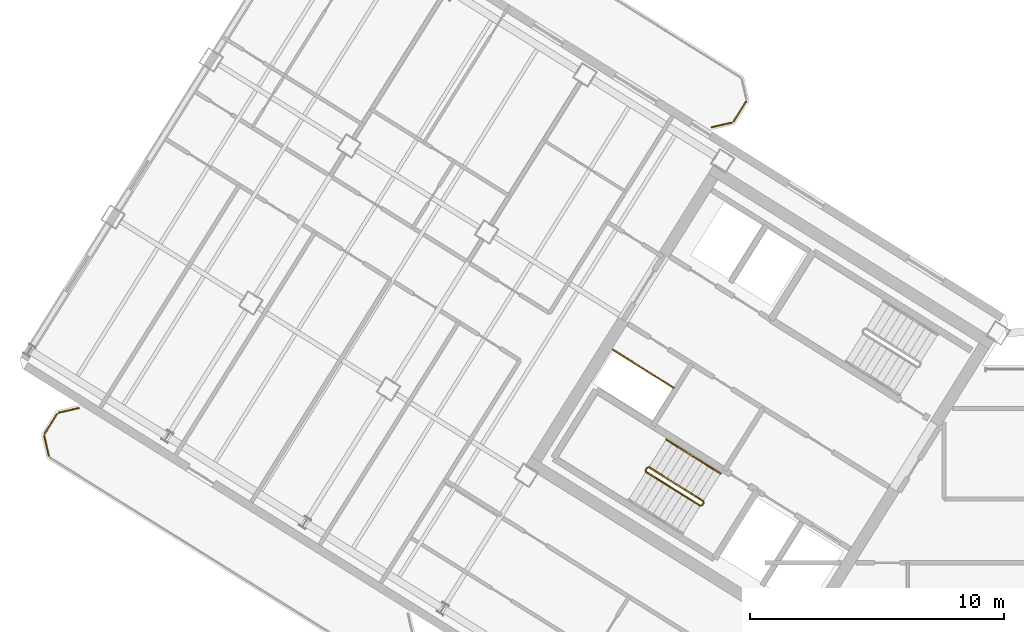
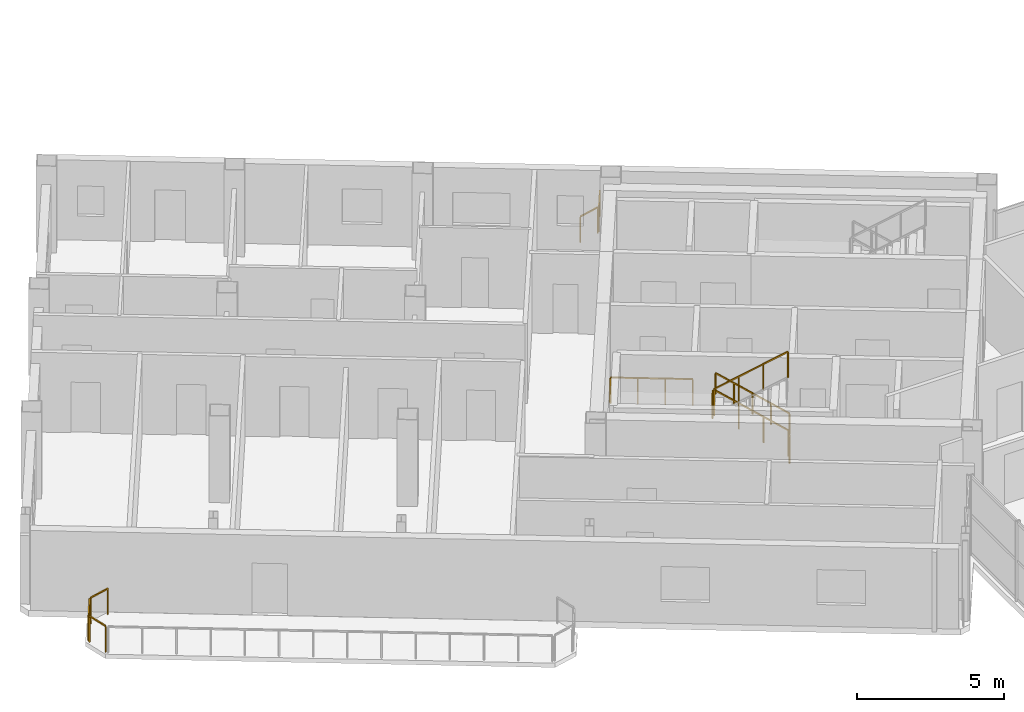
# One storey, part 23 of 25: 12 railings.
"""IFC4 building model written with IfcOpenShell, lengths in metres."""

import ifcopenshell
import ifcopenshell.guid

model = None  # the IFC model being written
_history = None  # IfcOwnerHistory: only IFC2X3 demands one
_inside = {}  # id of a spatial element -> (the spatial element, [elements in it])
_under = {}  # id of a project, library or spatial element -> (it, [spatial elements below it])
_declared = {}  # id of a project -> (the project, [libraries it declares])
_typed = {}  # id of a type object -> (the type object, [elements of that type])
_made_of = {}  # id of a material, layer set ... -> (it, [elements and type objects made of it])


def new_model(schema):
    """Start an empty IFC model of exactly this schema.

    Asked for "IFC4X3", IfcOpenShell would pick the latest addendum, in which some entities
    have other attributes; the version numbers below select the first issue.
    IFC2X3 requires an IfcOwnerHistory on every rooted entity: one is made here for all.
    """
    global model, _history
    if schema == "IFC4X3":
        model = ifcopenshell.file(schema_version=(4, 3, 0, 0))
    else:
        model = ifcopenshell.file(schema=schema)
    _inside.clear()
    _under.clear()
    _declared.clear()
    _typed.clear()
    _made_of.clear()
    _history = None
    if model.schema == "IFC2X3":
        org = make("IfcOrganization", Name="unknown")
        user = make(
            "IfcPersonAndOrganization",
            ThePerson=make("IfcPerson", FamilyName="unknown"),
            TheOrganization=org,
        )
        app = make(
            "IfcApplication",
            ApplicationDeveloper=org,
            Version="unknown",
            ApplicationFullName="unknown",
            ApplicationIdentifier="unknown",
        )
        _history = make(
            "IfcOwnerHistory",
            OwningUser=user,
            OwningApplication=app,
            ChangeAction="ADDED",
            CreationDate=0,
        )
    return model


def make(cls, **values):
    """One entity of the class cls with the attributes given. An attribute that is None is left unset."""
    return model.create_entity(
        cls, **{name: value for name, value in values.items() if value is not None}
    )


def rooted(cls, **values):
    """An entity with a GlobalId (a new one), such as an element, a storey or a relation."""
    return make(cls, GlobalId=ifcopenshell.guid.new(), OwnerHistory=_history, **values)


def si_unit(unit_type, name, prefix=None):
    """IfcSIUnit, for example si_unit("LENGTHUNIT", "METRE", prefix="MILLI")."""
    return make("IfcSIUnit", UnitType=unit_type, Prefix=prefix, Name=name)


def assignment(units):
    """IfcUnitAssignment: the units of a project."""
    return None if units is None else make("IfcUnitAssignment", Units=units)


def point(xyz):
    """IfcCartesianPoint."""
    return None if xyz is None else make("IfcCartesianPoint", Coordinates=xyz)


def direction(xyz):
    """IfcDirection."""
    return None if xyz is None else make("IfcDirection", DirectionRatios=xyz)


def frame(location, z_axis=None, x_axis=None):
    """IfcAxis2Placement3D, a coordinate frame: its origin and axes. An axis left out is left unset."""
    return make(
        "IfcAxis2Placement3D",
        Location=point(location),
        Axis=direction(z_axis),
        RefDirection=direction(x_axis),
    )


def frame_2d(location, x_axis=None):
    """IfcAxis2Placement2D, a coordinate frame in the plane: its origin and x axis."""
    return make(
        "IfcAxis2Placement2D", Location=point(location), RefDirection=direction(x_axis)
    )


def origin():
    """The frame at (0, 0, 0) with its axes left unset."""
    return frame((0.0, 0.0, 0.0))


def origin_2d():
    """The frame at (0, 0) in the plane with its x axis left unset."""
    return frame_2d((0.0, 0.0))


def place(relative_to, where):
    """IfcLocalPlacement: puts the frame where relative to a parent placement (None: the world)."""
    return make(
        "IfcLocalPlacement", PlacementRelTo=relative_to, RelativePlacement=where
    )


def context(
    kind, dimensions, precision=None, world=None, true_north=None, identifier=None
):
    """IfcGeometricRepresentationContext, for example the 3D "Model" context."""
    return make(
        "IfcGeometricRepresentationContext",
        ContextIdentifier=identifier,
        ContextType=kind,
        CoordinateSpaceDimension=dimensions,
        Precision=precision,
        WorldCoordinateSystem=world,
        TrueNorth=true_north,
    )


def subcontext(parent, identifier, kind, view, scale=None):
    """IfcGeometricRepresentationSubContext, for example "Body" below "Model"."""
    return make(
        "IfcGeometricRepresentationSubContext",
        ContextIdentifier=identifier,
        ContextType=kind,
        ParentContext=parent,
        TargetScale=scale,
        TargetView=view,
    )


def project(units=None, contexts=None):
    """IfcProject with its units and contexts."""
    return rooted(
        "IfcProject",
        Name="project",
        RepresentationContexts=contexts,
        UnitsInContext=assignment(units),
    )


def spatial(cls, under=None, at=None, **own):
    """A site, building, storey or space (cls), placed at a placement, below another one or the project."""
    s = rooted(cls, ObjectPlacement=at, **own)
    if under is not None:
        _under.setdefault(under.id(), (under, []))[1].append(s)
    return s


def profile(cls, at=None, kind="AREA", **sizes):
    """A parametric profile (cls). Its sizes go by their IFC names, for example OverallWidth=200.0."""
    return make(cls, ProfileType=kind, Position=at, **sizes)


def rectangle(**sizes):
    """IfcRectangleProfileDef."""
    return profile("IfcRectangleProfileDef", **sizes)


def extrude(swept, where, along, depth):
    """IfcExtrudedAreaSolid: the profile swept, set in the frame where, extruded along a direction by depth."""
    return make(
        "IfcExtrudedAreaSolid",
        SweptArea=swept,
        Position=where,
        ExtrudedDirection=direction(along),
        Depth=depth,
    )


def shape(context_of_items, identifier, shape_type, items):
    """IfcShapeRepresentation: the items that make up one representation, for example the "Body"."""
    return make(
        "IfcShapeRepresentation",
        ContextOfItems=context_of_items,
        RepresentationIdentifier=identifier,
        RepresentationType=shape_type,
        Items=items,
    )


def source(mapping_origin, context_of_items, identifier, shape_type, items):
    """IfcRepresentationMap: a shape defined once, which mapped items show again and again."""
    return make(
        "IfcRepresentationMap",
        MappingOrigin=mapping_origin,
        MappedRepresentation=shape(context_of_items, identifier, shape_type, items),
    )


def transform(
    local_origin,
    x_axis=None,
    y_axis=None,
    z_axis=None,
    scale=None,
    scale2=None,
    scale3=None,
    uniform=True,
):
    """IfcCartesianTransformationOperator3D, or its non-uniform kind. x_axis, y_axis, z_axis: its Axis1, 2, 3."""
    if uniform:
        return make(
            "IfcCartesianTransformationOperator3D",
            Axis1=direction(x_axis),
            Axis2=direction(y_axis),
            LocalOrigin=point(local_origin),
            Scale=scale,
            Axis3=direction(z_axis),
        )
    return make(
        "IfcCartesianTransformationOperator3DnonUniform",
        Axis1=direction(x_axis),
        Axis2=direction(y_axis),
        LocalOrigin=point(local_origin),
        Scale=scale,
        Axis3=direction(z_axis),
        Scale2=scale2,
        Scale3=scale3,
    )


def mapped(mapping_source, mapping_target):
    """IfcMappedItem: shows the shape of a source again, moved by a transform."""
    return make(
        "IfcMappedItem", MappingSource=mapping_source, MappingTarget=mapping_target
    )


def material(Name=None, Category=None):
    """IfcMaterial."""
    return make("IfcMaterial", Name=Name, Category=Category)


def made_of(thing, what):
    """Note that an element or type object is made of a material, layer set ...; save() writes the relation."""
    if what is not None:
        _made_of.setdefault(what.id(), (what, []))[1].append(thing)
    return thing


def type_object(cls, material=None, **own):
    """A type object (cls), such as IfcWallType, which elements share."""
    return made_of(rooted(cls, **own), material)


def element(
    cls,
    number,
    at=None,
    inside=None,
    cuts=None,
    type_object=None,
    material=None,
    context=None,
    identifier="Body",
    shape_type=None,
    held_by="IfcProductDefinitionShape",
    body=None,
    shapes=None,
    **own,
):
    """One element of the class cls, such as IfcWall. Its Tag is "e" and its number.

    at: its placement. inside: the storey or other place that contains it. cuts: it is an
    opening in that element (IfcRelVoidsElement). A single representation is given by context,
    identifier, shape_type and body (its items); several are given by shapes. held_by: the class
    of the entity that holds the representations. save() writes the other relations.
    """
    e = rooted(cls, Tag="e%d" % number, ObjectPlacement=at, **own)
    if body is not None:
        shapes = [shape(context, identifier, shape_type, body)]
    if shapes is not None:
        e.Representation = make(held_by, Representations=shapes)
    if inside is not None:
        _inside.setdefault(inside.id(), (inside, []))[1].append(e)
    if cuts is not None:
        rooted(
            "IfcRelVoidsElement", RelatingBuildingElement=cuts, RelatedOpeningElement=e
        )
    if type_object is not None:
        _typed.setdefault(type_object.id(), (type_object, []))[1].append(e)
    return made_of(e, material)


def aggregate(whole, parts):
    """IfcRelAggregates: a whole, such as a stair, and the parts it consists of."""
    return rooted("IfcRelAggregates", RelatingObject=whole, RelatedObjects=parts)


def save(model, path):
    """Write the relations noted so far, then the file.

    IfcRelAggregates (storeys below a building ...), IfcRelContainedInSpatialStructure (elements
    in a storey), IfcRelDefinesByType, IfcRelAssociatesMaterial and IfcRelDeclares: one each for
    every whole, place, type object, material and project.
    """
    for whole, parts in _under.values():
        aggregate(whole, parts)
    for where, things in _inside.values():
        rooted(
            "IfcRelContainedInSpatialStructure",
            RelatedElements=things,
            RelatingStructure=where,
        )
    for kind, things in _typed.values():
        rooted("IfcRelDefinesByType", RelatedObjects=things, RelatingType=kind)
    for what, things in _made_of.values():
        rooted("IfcRelAssociatesMaterial", RelatedObjects=things, RelatingMaterial=what)
    for by, libraries in _declared.values():
        rooted("IfcRelDeclares", RelatingContext=by, RelatedDefinitions=libraries)
    model.write(path)


model = new_model("IFC4")

# Units and contexts
model_context = context("Model", 3, precision=1e-05, world=origin(), true_north=direction((0.0, 1.0)))
body_context = subcontext(model_context, "Body", "Model", "MODEL_VIEW")
ifc_project = project(units=[si_unit("LENGTHUNIT", "METRE"), si_unit("AREAUNIT", "SQUARE_METRE"), si_unit("VOLUMEUNIT", "CUBIC_METRE"), si_unit("PLANEANGLEUNIT", "RADIAN"), si_unit("MASSUNIT", "GRAM", prefix="KILO")], contexts=[model_context])

# Site, building, storey
site_placement = place(None, origin())
site = spatial("IfcSite", under=ifc_project, at=site_placement, CompositionType="ELEMENT")
building_placement = place(site_placement, origin())
building = spatial("IfcBuilding", under=site, at=building_placement, Name="Tlacorven Tower", CompositionType="ELEMENT")
storey_placement = place(building_placement, frame((0.0, 0.0, 251.10009765625)))
storey = spatial("IfcBuildingStorey", under=building, at=storey_placement, Name="L63", CompositionType="ELEMENT", Elevation=251.10009765625)

# Railings
ifc_material = material(Name="Aluminium and painted steel balustrade", Category="steel")
railing_type_1 = type_object("IfcRailingType", Name="RL-GRD-1100", PredefinedType="GUARDRAIL", material=ifc_material)
shared_shape_1 = source(origin(), body_context, "Body", "SweptSolid", [
    extrude(rectangle(XDim=0.048095703125, YDim=0.048095703125, at=origin_2d()), frame((0.0, 0.0, 1.076171875), z_axis=(-0.848091358275, 0.529850024081, 0.0), x_axis=(-0.529850024081, -0.848091358275, 0.0)), (0.0, 0.0, 1.0), 2.800048828125),
    extrude(rectangle(XDim=0.0419921875, YDim=0.0419921875, at=origin_2d()), origin(), (0.0, 0.0, 1.0), 1.052001953125),
    extrude(rectangle(XDim=0.0419921875, YDim=0.0419921875, at=origin_2d()), frame((-0.79150390625, 0.49462890625, 0.0)), (0.0, 0.0, 1.0), 1.052001953125),
    extrude(rectangle(XDim=0.0419921875, YDim=0.0419921875, at=origin_2d()), frame((-1.583251953125, 0.989013671875, 0.0)), (0.0, 0.0, 1.0), 1.052001953125),
    extrude(rectangle(XDim=0.0419921875, YDim=0.0419921875, at=origin_2d()), frame((-2.374755859375, 1.483642578125, 0.0)), (0.0, 0.0, 1.0), 1.052001953125),
])
railing_1_placement = place(storey_placement, frame((27.9912109375, 22.32080078125, 0.0)))
element("IfcRailing", 1, at=railing_1_placement, inside=storey, type_object=railing_type_1, Name="L63 Electrical Riser W Shaft Guard 1", PredefinedType="GUARDRAIL", context=body_context, shape_type="MappedRepresentation", body=[
    mapped(shared_shape_1, transform((0.0, 0.0, 0.0), scale=1.0)),
])
railing_type_2 = type_object("IfcRailingType", Name="RL-BAL-1100", PredefinedType="BALUSTRADE", material=ifc_material)
shared_shape_2 = source(origin(), body_context, "Body", "SweptSolid", [
    extrude(rectangle(XDim=0.048095703125, YDim=0.048095703125, at=origin_2d()), frame((0.0, 0.0, 1.076171875), z_axis=(-0.52987865805, -0.848073468364, 0.0), x_axis=(0.848073468364, -0.52987865805, 0.0)), (0.0, 0.0, 1.0), 0.912353515625),
    extrude(rectangle(XDim=0.0419921875, YDim=0.0419921875, at=origin_2d()), origin(), (0.0, 0.0, 1.0), 1.052001953125),
    extrude(rectangle(XDim=0.0419921875, YDim=0.0419921875, at=origin_2d()), frame((-0.4833984375, -0.773681640625, 0.0)), (0.0, 0.0, 1.0), 1.052001953125),
])
railing_2_placement = place(storey_placement, frame((30.845947265625, 33.588623046875, 0.0)))
element("IfcRailing", 2, at=railing_2_placement, inside=storey, type_object=railing_type_2, Name="BAL-L63-W-IN Guard Railing 2", PredefinedType="BALUSTRADE", context=body_context, shape_type="MappedRepresentation", body=[
    mapped(shared_shape_2, transform((0.0, 0.0, 0.0), scale=1.0)),
])
shared_shape_3 = source(origin(), body_context, "Body", "SweptSolid", [
    extrude(rectangle(XDim=0.048095703125, YDim=0.048095703125, at=origin_2d()), frame((0.0, 0.0, 1.076171875), z_axis=(-0.225058334816, 0.974345290916, 0.0), x_axis=(-0.974345290916, -0.225058334816, 0.0)), (0.0, 0.0, 1.0), 0.80712890625),
    extrude(rectangle(XDim=0.0419921875, YDim=0.0419921875, at=origin_2d()), origin(), (0.0, 0.0, 1.0), 1.052001953125),
    extrude(rectangle(XDim=0.0419921875, YDim=0.0419921875, at=origin_2d()), frame((-0.181640625, 0.786376953125, 0.0)), (0.0, 0.0, 1.0), 1.052001953125),
])
railing_3_placement = place(storey_placement, frame((3.380859375, 19.62841796875, 0.0)))
element("IfcRailing", 3, at=railing_3_placement, inside=storey, type_object=railing_type_2, Name="BAL-L63-W-OUT Guard Railing 5", PredefinedType="BALUSTRADE", context=body_context, shape_type="MappedRepresentation", body=[
    mapped(shared_shape_3, transform((0.0, 0.0, 0.0), scale=1.0)),
])
shared_shape_4 = source(origin(), body_context, "Body", "SweptSolid", [
    extrude(rectangle(XDim=0.048095703125, YDim=0.048095703125, at=origin_2d()), frame((0.0, 0.0, 1.076171875), z_axis=(0.52987865805, 0.848073468364, 0.0), x_axis=(-0.848073468364, 0.52987865805, 0.0)), (0.0, 0.0, 1.0), 0.912353515625),
    extrude(rectangle(XDim=0.0419921875, YDim=0.0419921875, at=origin_2d()), origin(), (0.0, 0.0, 1.0), 1.052001953125),
    extrude(rectangle(XDim=0.0419921875, YDim=0.0419921875, at=origin_2d()), frame((0.4833984375, 0.773681640625, 0.0)), (0.0, 0.0, 1.0), 1.052001953125),
])
railing_4_placement = place(storey_placement, frame((3.214599609375, 20.505859375, 0.0)))
element("IfcRailing", 4, at=railing_4_placement, inside=storey, type_object=railing_type_2, Name="BAL-L63-W-OUT Guard Railing 6", PredefinedType="BALUSTRADE", context=body_context, shape_type="MappedRepresentation", body=[
    mapped(shared_shape_4, transform((0.0, 0.0, 0.0), scale=1.0)),
])
shared_shape_5 = source(origin(), body_context, "Body", "SweptSolid", [
    extrude(rectangle(XDim=0.048095703125, YDim=0.048095703125, at=origin_2d()), frame((0.0, 0.0, 1.076171875), z_axis=(0.974345290916, 0.225058334816, 0.0), x_axis=(-0.225058334816, 0.974345290916, 0.0)), (0.0, 0.0, 1.0), 0.80712890625),
    extrude(rectangle(XDim=0.0419921875, YDim=0.0419921875, at=origin_2d()), origin(), (0.0, 0.0, 1.0), 1.052001953125),
    extrude(rectangle(XDim=0.0419921875, YDim=0.0419921875, at=origin_2d()), frame((0.786376953125, 0.181640625, 0.0)), (0.0, 0.0, 1.0), 1.052001953125),
])
railing_5_placement = place(storey_placement, frame((3.773193359375, 21.3330078125, 0.0)))
element("IfcRailing", 5, at=railing_5_placement, inside=storey, type_object=railing_type_2, Name="BAL-L63-W-OUT Guard Railing 7", PredefinedType="BALUSTRADE", context=body_context, shape_type="MappedRepresentation", body=[
    mapped(shared_shape_5, transform((0.0, 0.0, 0.0), scale=1.0)),
])
shared_shape_6 = source(origin(), body_context, "Body", "SweptSolid", [
    extrude(rectangle(XDim=0.048095703125, YDim=0.048095703125, at=origin_2d()), frame((0.0, 0.0, 1.076171875), z_axis=(-0.974345290916, -0.225058334816, 0.0), x_axis=(0.225058334816, -0.974345290916, 0.0)), (0.0, 0.0, 1.0), 0.80712890625),
    extrude(rectangle(XDim=0.0419921875, YDim=0.0419921875, at=origin_2d()), origin(), (0.0, 0.0, 1.0), 1.052001953125),
    extrude(rectangle(XDim=0.0419921875, YDim=0.0419921875, at=origin_2d()), frame((-0.786376953125, -0.181640625, 0.0)), (0.0, 0.0, 1.0), 1.052001953125),
])
railing_6_placement = place(storey_placement, frame((30.287353515625, 32.761474609375, 0.0)))
element("IfcRailing", 6, at=railing_6_placement, inside=storey, type_object=railing_type_2, Name="BAL-L63-W-IN Guard Railing 3", PredefinedType="BALUSTRADE", context=body_context, shape_type="MappedRepresentation", body=[
    mapped(shared_shape_6, transform((0.0, 0.0, 0.0), scale=1.0)),
])
shared_shape_7 = source(origin(), body_context, "Body", "SweptSolid", [
    extrude(rectangle(XDim=0.048095703125, YDim=0.048095703125, at=origin_2d()), frame((0.0, 0.0, 1.076171875), z_axis=(-0.529084052582, -0.848569422795, 0.0), x_axis=(0.848569422795, -0.529084052582, 0.0)), (0.0, 0.0, 1.0), 0.119873046875),
    extrude(rectangle(XDim=0.0419921875, YDim=0.0419921875, at=origin_2d()), origin(), (0.0, 0.0, 1.0), 1.052001953125),
    extrude(rectangle(XDim=0.0419921875, YDim=0.0419921875, at=origin_2d()), frame((-0.0634765625, -0.101806640625, 0.0)), (0.0, 0.0, 1.0), 1.052001953125),
])
railing_7_placement = place(storey_placement, frame((29.176513671875, 17.782958984375, 0.0)))
element("IfcRailing", 7, at=railing_7_placement, inside=storey, type_object=railing_type_1, Name="L63 ST-W1 stair guard 4", PredefinedType="GUARDRAIL", context=body_context, shape_type="MappedRepresentation", body=[
    mapped(shared_shape_7, transform((0.0, 0.0, 0.0), scale=1.0)),
])
shared_shape_8 = source(origin(), body_context, "Body", "SweptSolid", [
    extrude(rectangle(XDim=0.048095703125, YDim=0.048095703125, at=origin_2d()), frame((0.0, 0.0, 1.076171875), z_axis=(-0.530546985787, -0.847655529016, 0.0), x_axis=(0.847655529016, -0.530546985787, 0.0)), (0.0, 0.0, 1.0), 0.1201171875),
    extrude(rectangle(XDim=0.0419921875, YDim=0.0419921875, at=origin_2d()), origin(), (0.0, 0.0, 1.0), 1.052001953125),
    extrude(rectangle(XDim=0.0419921875, YDim=0.0419921875, at=origin_2d()), frame((-0.063720703125, -0.101806640625, 0.0)), (0.0, 0.0, 1.0), 1.052001953125),
])
railing_8_placement = place(storey_placement, frame((26.954833984375, 19.17138671875, 1.7998046875)))
element("IfcRailing", 8, at=railing_8_placement, inside=storey, type_object=railing_type_1, Name="L63 ST-W1 stair guard 2", PredefinedType="GUARDRAIL", context=body_context, shape_type="MappedRepresentation", body=[
    mapped(shared_shape_8, transform((0.0, 0.0, 0.0), scale=1.0)),
])
railing_type_3 = type_object("IfcRailingType", Name="RL-HND-0900", PredefinedType="HANDRAIL", material=ifc_material)
shared_shape_9 = source(origin(), body_context, "Body", "SweptSolid", [
    extrude(rectangle(XDim=0.048095703125, YDim=0.048095703125, at=origin_2d()), frame((0.0, 0.0, 0.8759765625), z_axis=(-0.713359751793, 0.4457479829, 0.540764828981), x_axis=(-0.529911857636, -0.848052724267, 0.0)), (0.0, 0.0, 1.0), 1.498046875),
    extrude(rectangle(XDim=0.0419921875, YDim=0.0419921875, at=origin_2d()), origin(), (0.0, 0.0, 1.0), 0.851806640625),
    extrude(rectangle(XDim=0.0419921875, YDim=0.0419921875, at=origin_2d()), frame((-0.5341796875, 0.333984375, 0.405029296875)), (0.0, 0.0, 1.0), 0.851806640625),
    extrude(rectangle(XDim=0.0419921875, YDim=0.0419921875, at=origin_2d()), frame((-1.068603515625, 0.667724609375, 0.81005859375)), (0.0, 0.0, 1.0), 0.851806640625),
])
railing_9_placement = place(storey_placement, frame((29.839111328125, 18.937255859375, 0.179931640625)))
element("IfcRailing", 9, at=railing_9_placement, inside=storey, type_object=railing_type_3, Name="L63 ST-W1 stair handrail 1", PredefinedType="HANDRAIL", context=body_context, shape_type="MappedRepresentation", body=[
    mapped(shared_shape_9, transform((0.0, 0.0, 0.0), scale=1.0)),
])
shared_shape_10 = source(origin(), body_context, "Body", "SweptSolid", [
    extrude(rectangle(XDim=0.048095703125, YDim=0.048095703125, at=origin_2d()), frame((0.0, 0.0, 1.076171875), z_axis=(-0.713351164325, 0.445793541512, 0.540738601085), x_axis=(-0.529955395941, -0.84802551749, 0.0)), (0.0, 0.0, 1.0), 2.99560546875),
    extrude(rectangle(XDim=0.0419921875, YDim=0.0419921875, at=origin_2d()), origin(), (0.0, 0.0, 1.0), 1.052001953125),
    extrude(rectangle(XDim=0.0419921875, YDim=0.0419921875, at=origin_2d()), frame((-0.71240234375, 0.445068359375, 0.5400390625)), (0.0, 0.0, 1.0), 1.052001953125),
    extrude(rectangle(XDim=0.0419921875, YDim=0.0419921875, at=origin_2d()), frame((-1.424560546875, 0.890380859375, 1.079833984375)), (0.0, 0.0, 1.0), 1.052001953125),
    extrude(rectangle(XDim=0.0419921875, YDim=0.0419921875, at=origin_2d()), frame((-2.136962890625, 1.33544921875, 1.619873046875)), (0.0, 0.0, 1.0), 1.052001953125),
])
railing_10_placement = place(storey_placement, frame((29.16064453125, 17.851806640625, 0.179931640625)))
element("IfcRailing", 10, at=railing_10_placement, inside=storey, type_object=railing_type_1, Name="L63 ST-W1 stair guard 1", PredefinedType="GUARDRAIL", context=body_context, shape_type="MappedRepresentation", body=[
    mapped(shared_shape_10, transform((0.0, 0.0, 0.0), scale=1.0)),
])
shared_shape_11 = source(origin(), body_context, "Body", "SweptSolid", [
    extrude(rectangle(XDim=0.048095703125, YDim=0.048095703125, at=origin_2d()), frame((0.0, 0.0, 1.076171875), z_axis=(0.71339118691, -0.44576762536, 0.540707165313), x_axis=(0.529911857636, 0.848052724267, 0.0)), (0.0, 0.0, 1.0), 2.995849609375),
    extrude(rectangle(XDim=0.0419921875, YDim=0.0419921875, at=origin_2d()), origin(), (0.0, 0.0, 1.0), 1.052001953125),
    extrude(rectangle(XDim=0.0419921875, YDim=0.0419921875, at=origin_2d()), frame((0.71240234375, -0.445068359375, 0.5400390625)), (0.0, 0.0, 1.0), 1.052001953125),
    extrude(rectangle(XDim=0.0419921875, YDim=0.0419921875, at=origin_2d()), frame((1.4248046875, -0.890380859375, 1.079833984375)), (0.0, 0.0, 1.0), 1.052001953125),
    extrude(rectangle(XDim=0.0419921875, YDim=0.0419921875, at=origin_2d()), frame((2.13720703125, -1.33544921875, 1.619873046875)), (0.0, 0.0, 1.0), 1.052001953125),
])
railing_11_placement = place(storey_placement, frame((26.906982421875, 19.000732421875, 1.97998046875)))
element("IfcRailing", 11, at=railing_11_placement, inside=storey, type_object=railing_type_1, Name="L63 ST-W1 stair guard 3", PredefinedType="GUARDRAIL", context=body_context, shape_type="MappedRepresentation", body=[
    mapped(shared_shape_11, transform((0.0, 0.0, 0.0), scale=1.0)),
])
shared_shape_12 = source(origin(), body_context, "Body", "SweptSolid", [
    extrude(rectangle(XDim=0.048095703125, YDim=0.048095703125, at=origin_2d()), frame((0.0, 0.0, 0.8759765625), z_axis=(-0.713422621445, 0.445787267455, 0.540649494022), x_axis=(-0.529911857636, -0.848052724267, 0.0)), (0.0, 0.0, 1.0), 1.497802734375),
    extrude(rectangle(XDim=0.0419921875, YDim=0.0419921875, at=origin_2d()), origin(), (0.0, 0.0, 1.0), 0.851806640625),
    extrude(rectangle(XDim=0.0419921875, YDim=0.0419921875, at=origin_2d()), frame((-0.5341796875, 0.333984375, 0.40478515625)), (0.0, 0.0, 1.0), 0.851806640625),
    extrude(rectangle(XDim=0.0419921875, YDim=0.0419921875, at=origin_2d()), frame((-1.068603515625, 0.667724609375, 0.809814453125)), (0.0, 0.0, 1.0), 0.851806640625),
])
railing_12_placement = place(storey_placement, frame((28.7705078125, 19.60498046875, 0.989990234375)))
element("IfcRailing", 12, at=railing_12_placement, inside=storey, type_object=railing_type_3, Name="L63 ST-W1 stair handrail 2", PredefinedType="HANDRAIL", context=body_context, shape_type="MappedRepresentation", body=[
    mapped(shared_shape_12, transform((0.0, 0.0, 0.0), scale=1.0)),
])

save(model, "model.ifc")
